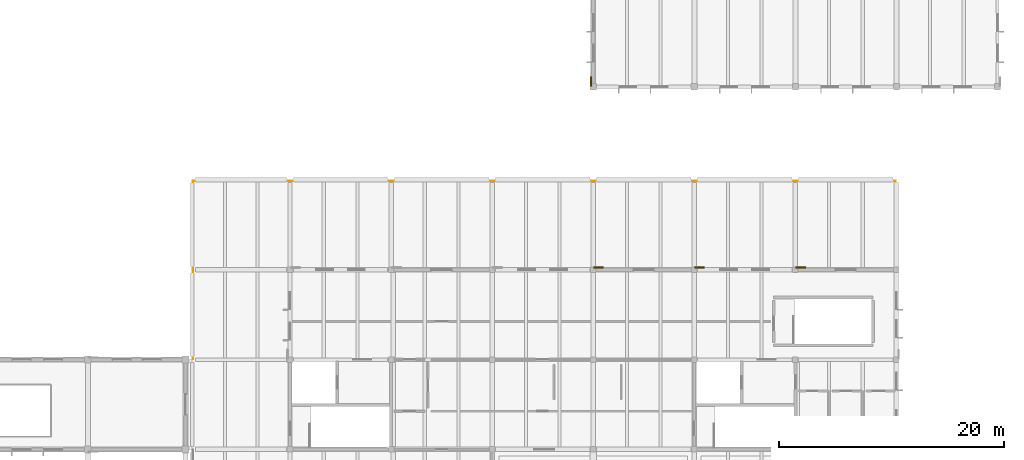
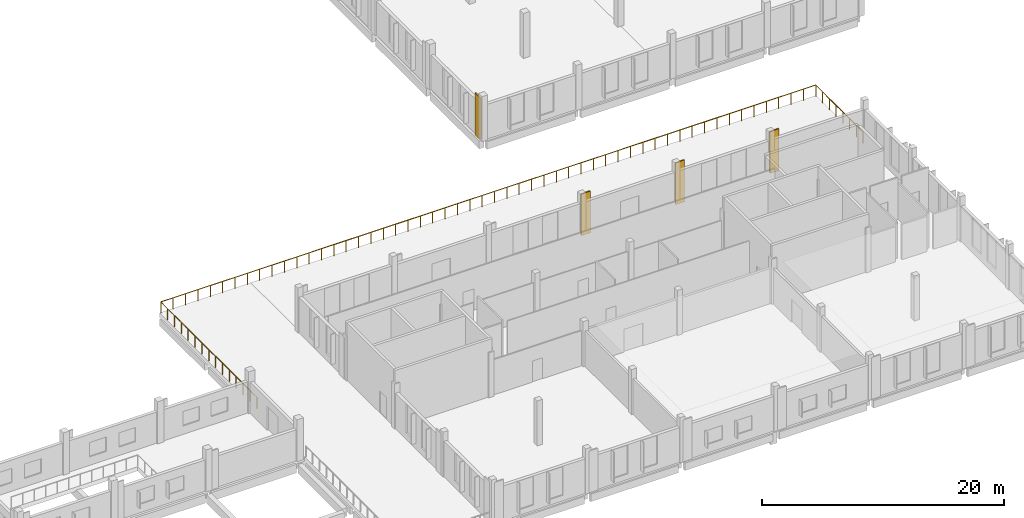
# One storey, part 23 of 25: 4 coverings, 1 railing.
"""IFC4 building model written with IfcOpenShell, lengths in metres."""

from ifc_helpers import new_model, si_unit, direction, frame, origin, origin_2d, place, context, subcontext, project, spatial, rectangle, circle, extrude, material, layer, layer_set, type_object, element, save


model = new_model("IFC4")

# Units and contexts
model_context = context("Model", 3, precision=1e-05, world=origin(), true_north=direction((0.0, 1.0)))
body_context = subcontext(model_context, "Body", "Model", "MODEL_VIEW")
ifc_project = project(units=[si_unit("LENGTHUNIT", "METRE"), si_unit("AREAUNIT", "SQUARE_METRE"), si_unit("VOLUMEUNIT", "CUBIC_METRE"), si_unit("PLANEANGLEUNIT", "RADIAN"), si_unit("MASSUNIT", "GRAM", prefix="KILO")], contexts=[model_context])

# Site, building, storey
site_placement = place(None, origin())
site = spatial("IfcSite", under=ifc_project, at=site_placement, CompositionType="ELEMENT")
building_placement = place(site_placement, origin())
building = spatial("IfcBuilding", under=site, at=building_placement, Name="Zacnel Wholesale Market", CompositionType="ELEMENT")
storey_placement = place(building_placement, frame((0.0, 0.0, 15.75)))
storey = spatial("IfcBuildingStorey", under=building, at=storey_placement, Name="L04", CompositionType="ELEMENT", Elevation=15.75)

# Coverings
ifc_material_1 = material(Name="Honed Yucatan Maya cream limestone", Category="masonry")
ifc_layer_1 = layer(ifc_material_1, 0.090087890625)
ifc_layer_set_1 = layer_set([ifc_layer_1], Name="Honed Yucatan Maya cream limestone")
covering_type = type_object("IfcCoveringType", Name="COV-CLAD-FRET", PredefinedType="CLADDING", material=ifc_layer_set_1)
for number, where, z_axis, x_axis, name in (
    (1, (180.47998046875, 32.2099609375, 0.02001953125), (0.0, 0.0, 1.0), (1.0, 0.0, 0.0), "Fluted Mayan-Deco limestone pilaster L04-0268"),
    (2, (189.47998046875, 32.2099609375, 0.02001953125), (0.0, 0.0, 1.0), (1.0, 0.0, 0.0), "Fluted Mayan-Deco limestone pilaster L04-0269"),
    (3, (198.47998046875, 32.2099609375, 0.02001953125), (0.0, 0.0, 1.0), (1.0, 0.0, 0.0), "Fluted Mayan-Deco limestone pilaster L04-0270"),
    (4, (179.7900390625, 48.780029296875, 0.02001953125), (0.0, 0.0, 1.0), (0.0, 1.0, 0.0), "Fluted Mayan-Deco limestone pilaster L04-0278"),
):
    element("IfcCovering", number, at=place(storey_placement, frame(where, z_axis=z_axis, x_axis=x_axis)), inside=storey, type_object=covering_type, Name=name, PredefinedType="CLADDING", context=body_context, shape_type="SweptSolid", body=[
        extrude(rectangle(XDim=0.85009765625, YDim=0.1201171875, at=origin_2d()), origin(), (0.0, 0.0, 1.0), 4.2099609375),
    ])

# Railing
ifc_material_2 = material(Name="Steel S355", Category="steel")
ifc_layer_2 = layer(ifc_material_2, 0.080078125)
ifc_layer_set_2 = layer_set([ifc_layer_2], Name="Steel S355")
railing_type = type_object("IfcRailingType", Name="RL-BAL-1150", PredefinedType="BALUSTRADE", material=ifc_layer_set_2)
railing_placement = place(storey_placement, frame((144.3798828125, 24.050048828125, 0.0)))
element("IfcRailing", 5, at=railing_placement, inside=storey, type_object=railing_type, Name="Terrace safety balustrade GD-L04-V5-PERIM-N", PredefinedType="BALUSTRADE", context=body_context, shape_type="SweptSolid", body=[
    extrude(circle(Radius=0.02392578125, at=origin_2d()), frame((0.0, 0.0, 1.1259765625), z_axis=(0.0, 1.0, 0.0), x_axis=(-1.0, 0.0, 0.0)), (0.0, 0.0, 1.0), 15.869873046875),
    extrude(circle(Radius=0.02392578125, at=origin_2d()), frame((0.0, 15.869873046875, 1.1259765625), z_axis=(1.0, 0.0, 0.0), x_axis=(0.0, 1.0, 0.0)), (0.0, 0.0, 1.0), 62.5400390625),
    extrude(circle(Radius=0.02392578125, at=origin_2d()), frame((62.5400390625, 15.869873046875, 1.1259765625), z_axis=(0.0, -1.0, 0.0), x_axis=(1.0, 0.0, 0.0)), (0.0, 0.0, 1.0), 7.83984375),
    extrude(circle(Radius=0.02099609375, at=origin_2d()), origin(), (0.0, 0.0, 1.0), 1.101806640625),
    extrude(circle(Radius=0.02099609375, at=origin_2d()), frame((0.0, 1.133544921875, 0.0)), (0.0, 0.0, 1.0), 1.101806640625),
    extrude(circle(Radius=0.02099609375, at=origin_2d()), frame((0.0, 2.26708984375, 0.0)), (0.0, 0.0, 1.0), 1.101806640625),
    extrude(circle(Radius=0.02099609375, at=origin_2d()), frame((0.0, 3.400634765625, 0.0)), (0.0, 0.0, 1.0), 1.101806640625),
    extrude(circle(Radius=0.02099609375, at=origin_2d()), frame((0.0, 4.5341796875, 0.0)), (0.0, 0.0, 1.0), 1.101806640625),
    extrude(circle(Radius=0.02099609375, at=origin_2d()), frame((0.0, 5.667724609375, 0.0)), (0.0, 0.0, 1.0), 1.101806640625),
    extrude(circle(Radius=0.02099609375, at=origin_2d()), frame((0.0, 6.80126953125, 0.0)), (0.0, 0.0, 1.0), 1.101806640625),
    extrude(circle(Radius=0.02099609375, at=origin_2d()), frame((0.0, 7.93505859375, 0.0)), (0.0, 0.0, 1.0), 1.101806640625),
    extrude(circle(Radius=0.02099609375, at=origin_2d()), frame((0.0, 9.068603515625, 0.0)), (0.0, 0.0, 1.0), 1.101806640625),
    extrude(circle(Radius=0.02099609375, at=origin_2d()), frame((0.0, 10.2021484375, 0.0)), (0.0, 0.0, 1.0), 1.101806640625),
    extrude(circle(Radius=0.02099609375, at=origin_2d()), frame((0.0, 11.335693359375, 0.0)), (0.0, 0.0, 1.0), 1.101806640625),
    extrude(circle(Radius=0.02099609375, at=origin_2d()), frame((0.0, 12.46923828125, 0.0)), (0.0, 0.0, 1.0), 1.101806640625),
    extrude(circle(Radius=0.02099609375, at=origin_2d()), frame((0.0, 13.602783203125, 0.0)), (0.0, 0.0, 1.0), 1.101806640625),
    extrude(circle(Radius=0.02099609375, at=origin_2d()), frame((0.0, 14.736328125, 0.0)), (0.0, 0.0, 1.0), 1.101806640625),
    extrude(circle(Radius=0.02099609375, at=origin_2d()), frame((0.0, 15.869873046875, 0.0)), (0.0, 0.0, 1.0), 1.101806640625),
    extrude(circle(Radius=0.02099609375, at=origin_2d()), frame((1.179931640625, 15.869873046875, 0.0)), (0.0, 0.0, 1.0), 1.101806640625),
    extrude(circle(Radius=0.02099609375, at=origin_2d()), frame((2.360107421875, 15.869873046875, 0.0)), (0.0, 0.0, 1.0), 1.101806640625),
    extrude(circle(Radius=0.02099609375, at=origin_2d()), frame((3.5400390625, 15.869873046875, 0.0)), (0.0, 0.0, 1.0), 1.101806640625),
    extrude(circle(Radius=0.02099609375, at=origin_2d()), frame((4.719970703125, 15.869873046875, 0.0)), (0.0, 0.0, 1.0), 1.101806640625),
    extrude(circle(Radius=0.02099609375, at=origin_2d()), frame((5.89990234375, 15.869873046875, 0.0)), (0.0, 0.0, 1.0), 1.101806640625),
    extrude(circle(Radius=0.02099609375, at=origin_2d()), frame((7.080078125, 15.869873046875, 0.0)), (0.0, 0.0, 1.0), 1.101806640625),
    extrude(circle(Radius=0.02099609375, at=origin_2d()), frame((8.260009765625, 15.869873046875, 0.0)), (0.0, 0.0, 1.0), 1.101806640625),
    extrude(circle(Radius=0.02099609375, at=origin_2d()), frame((9.43994140625, 15.869873046875, 0.0)), (0.0, 0.0, 1.0), 1.101806640625),
    extrude(circle(Radius=0.02099609375, at=origin_2d()), frame((10.6201171875, 15.869873046875, 0.0)), (0.0, 0.0, 1.0), 1.101806640625),
    extrude(circle(Radius=0.02099609375, at=origin_2d()), frame((11.800048828125, 15.869873046875, 0.0)), (0.0, 0.0, 1.0), 1.101806640625),
    extrude(circle(Radius=0.02099609375, at=origin_2d()), frame((12.97998046875, 15.869873046875, 0.0)), (0.0, 0.0, 1.0), 1.101806640625),
    extrude(circle(Radius=0.02099609375, at=origin_2d()), frame((14.159912109375, 15.869873046875, 0.0)), (0.0, 0.0, 1.0), 1.101806640625),
    extrude(circle(Radius=0.02099609375, at=origin_2d()), frame((15.340087890625, 15.869873046875, 0.0)), (0.0, 0.0, 1.0), 1.101806640625),
    extrude(circle(Radius=0.02099609375, at=origin_2d()), frame((16.52001953125, 15.869873046875, 0.0)), (0.0, 0.0, 1.0), 1.101806640625),
    extrude(circle(Radius=0.02099609375, at=origin_2d()), frame((17.699951171875, 15.869873046875, 0.0)), (0.0, 0.0, 1.0), 1.101806640625),
    extrude(circle(Radius=0.02099609375, at=origin_2d()), frame((18.880126953125, 15.869873046875, 0.0)), (0.0, 0.0, 1.0), 1.101806640625),
    extrude(circle(Radius=0.02099609375, at=origin_2d()), frame((20.06005859375, 15.869873046875, 0.0)), (0.0, 0.0, 1.0), 1.101806640625),
    extrude(circle(Radius=0.02099609375, at=origin_2d()), frame((21.239990234375, 15.869873046875, 0.0)), (0.0, 0.0, 1.0), 1.101806640625),
    extrude(circle(Radius=0.02099609375, at=origin_2d()), frame((22.419921875, 15.869873046875, 0.0)), (0.0, 0.0, 1.0), 1.101806640625),
    extrude(circle(Radius=0.02099609375, at=origin_2d()), frame((23.60009765625, 15.869873046875, 0.0)), (0.0, 0.0, 1.0), 1.101806640625),
    extrude(circle(Radius=0.02099609375, at=origin_2d()), frame((24.780029296875, 15.869873046875, 0.0)), (0.0, 0.0, 1.0), 1.101806640625),
    extrude(circle(Radius=0.02099609375, at=origin_2d()), frame((25.9599609375, 15.869873046875, 0.0)), (0.0, 0.0, 1.0), 1.101806640625),
    extrude(circle(Radius=0.02099609375, at=origin_2d()), frame((27.14013671875, 15.869873046875, 0.0)), (0.0, 0.0, 1.0), 1.101806640625),
    extrude(circle(Radius=0.02099609375, at=origin_2d()), frame((28.320068359375, 15.869873046875, 0.0)), (0.0, 0.0, 1.0), 1.101806640625),
    extrude(circle(Radius=0.02099609375, at=origin_2d()), frame((29.5, 15.869873046875, 0.0)), (0.0, 0.0, 1.0), 1.101806640625),
    extrude(circle(Radius=0.02099609375, at=origin_2d()), frame((30.679931640625, 15.869873046875, 0.0)), (0.0, 0.0, 1.0), 1.101806640625),
    extrude(circle(Radius=0.02099609375, at=origin_2d()), frame((31.860107421875, 15.869873046875, 0.0)), (0.0, 0.0, 1.0), 1.101806640625),
    extrude(circle(Radius=0.02099609375, at=origin_2d()), frame((33.0400390625, 15.869873046875, 0.0)), (0.0, 0.0, 1.0), 1.101806640625),
    extrude(circle(Radius=0.02099609375, at=origin_2d()), frame((34.219970703125, 15.869873046875, 0.0)), (0.0, 0.0, 1.0), 1.101806640625),
    extrude(circle(Radius=0.02099609375, at=origin_2d()), frame((35.39990234375, 15.869873046875, 0.0)), (0.0, 0.0, 1.0), 1.101806640625),
    extrude(circle(Radius=0.02099609375, at=origin_2d()), frame((36.580078125, 15.869873046875, 0.0)), (0.0, 0.0, 1.0), 1.101806640625),
    extrude(circle(Radius=0.02099609375, at=origin_2d()), frame((37.760009765625, 15.869873046875, 0.0)), (0.0, 0.0, 1.0), 1.101806640625),
    extrude(circle(Radius=0.02099609375, at=origin_2d()), frame((38.93994140625, 15.869873046875, 0.0)), (0.0, 0.0, 1.0), 1.101806640625),
    extrude(circle(Radius=0.02099609375, at=origin_2d()), frame((40.1201171875, 15.869873046875, 0.0)), (0.0, 0.0, 1.0), 1.101806640625),
    extrude(circle(Radius=0.02099609375, at=origin_2d()), frame((41.300048828125, 15.869873046875, 0.0)), (0.0, 0.0, 1.0), 1.101806640625),
    extrude(circle(Radius=0.02099609375, at=origin_2d()), frame((42.47998046875, 15.869873046875, 0.0)), (0.0, 0.0, 1.0), 1.101806640625),
    extrude(circle(Radius=0.02099609375, at=origin_2d()), frame((43.659912109375, 15.869873046875, 0.0)), (0.0, 0.0, 1.0), 1.101806640625),
    extrude(circle(Radius=0.02099609375, at=origin_2d()), frame((44.840087890625, 15.869873046875, 0.0)), (0.0, 0.0, 1.0), 1.101806640625),
    extrude(circle(Radius=0.02099609375, at=origin_2d()), frame((46.02001953125, 15.869873046875, 0.0)), (0.0, 0.0, 1.0), 1.101806640625),
    extrude(circle(Radius=0.02099609375, at=origin_2d()), frame((47.199951171875, 15.869873046875, 0.0)), (0.0, 0.0, 1.0), 1.101806640625),
    extrude(circle(Radius=0.02099609375, at=origin_2d()), frame((48.380126953125, 15.869873046875, 0.0)), (0.0, 0.0, 1.0), 1.101806640625),
    extrude(circle(Radius=0.02099609375, at=origin_2d()), frame((49.56005859375, 15.869873046875, 0.0)), (0.0, 0.0, 1.0), 1.101806640625),
    extrude(circle(Radius=0.02099609375, at=origin_2d()), frame((50.739990234375, 15.869873046875, 0.0)), (0.0, 0.0, 1.0), 1.101806640625),
    extrude(circle(Radius=0.02099609375, at=origin_2d()), frame((51.919921875, 15.869873046875, 0.0)), (0.0, 0.0, 1.0), 1.101806640625),
    extrude(circle(Radius=0.02099609375, at=origin_2d()), frame((53.10009765625, 15.869873046875, 0.0)), (0.0, 0.0, 1.0), 1.101806640625),
    extrude(circle(Radius=0.02099609375, at=origin_2d()), frame((54.280029296875, 15.869873046875, 0.0)), (0.0, 0.0, 1.0), 1.101806640625),
    extrude(circle(Radius=0.02099609375, at=origin_2d()), frame((55.4599609375, 15.869873046875, 0.0)), (0.0, 0.0, 1.0), 1.101806640625),
    extrude(circle(Radius=0.02099609375, at=origin_2d()), frame((56.64013671875, 15.869873046875, 0.0)), (0.0, 0.0, 1.0), 1.101806640625),
    extrude(circle(Radius=0.02099609375, at=origin_2d()), frame((57.820068359375, 15.869873046875, 0.0)), (0.0, 0.0, 1.0), 1.101806640625),
    extrude(circle(Radius=0.02099609375, at=origin_2d()), frame((59.0, 15.869873046875, 0.0)), (0.0, 0.0, 1.0), 1.101806640625),
    extrude(circle(Radius=0.02099609375, at=origin_2d()), frame((60.179931640625, 15.869873046875, 0.0)), (0.0, 0.0, 1.0), 1.101806640625),
    extrude(circle(Radius=0.02099609375, at=origin_2d()), frame((61.360107421875, 15.869873046875, 0.0)), (0.0, 0.0, 1.0), 1.101806640625),
    extrude(circle(Radius=0.02099609375, at=origin_2d()), frame((62.5400390625, 15.869873046875, 0.0)), (0.0, 0.0, 1.0), 1.101806640625),
    extrude(circle(Radius=0.02099609375, at=origin_2d()), frame((62.5400390625, 14.75, 0.0)), (0.0, 0.0, 1.0), 1.101806640625),
    extrude(circle(Radius=0.02099609375, at=origin_2d()), frame((62.5400390625, 13.6298828125, 0.0)), (0.0, 0.0, 1.0), 1.101806640625),
    extrude(circle(Radius=0.02099609375, at=origin_2d()), frame((62.5400390625, 12.510009765625, 0.0)), (0.0, 0.0, 1.0), 1.101806640625),
    extrude(circle(Radius=0.02099609375, at=origin_2d()), frame((62.5400390625, 11.389892578125, 0.0)), (0.0, 0.0, 1.0), 1.101806640625),
    extrude(circle(Radius=0.02099609375, at=origin_2d()), frame((62.5400390625, 10.27001953125, 0.0)), (0.0, 0.0, 1.0), 1.101806640625),
    extrude(circle(Radius=0.02099609375, at=origin_2d()), frame((62.5400390625, 9.14990234375, 0.0)), (0.0, 0.0, 1.0), 1.101806640625),
    extrude(circle(Radius=0.02099609375, at=origin_2d()), frame((62.5400390625, 8.030029296875, 0.0)), (0.0, 0.0, 1.0), 1.101806640625),
])

save(model, "model.ifc")
